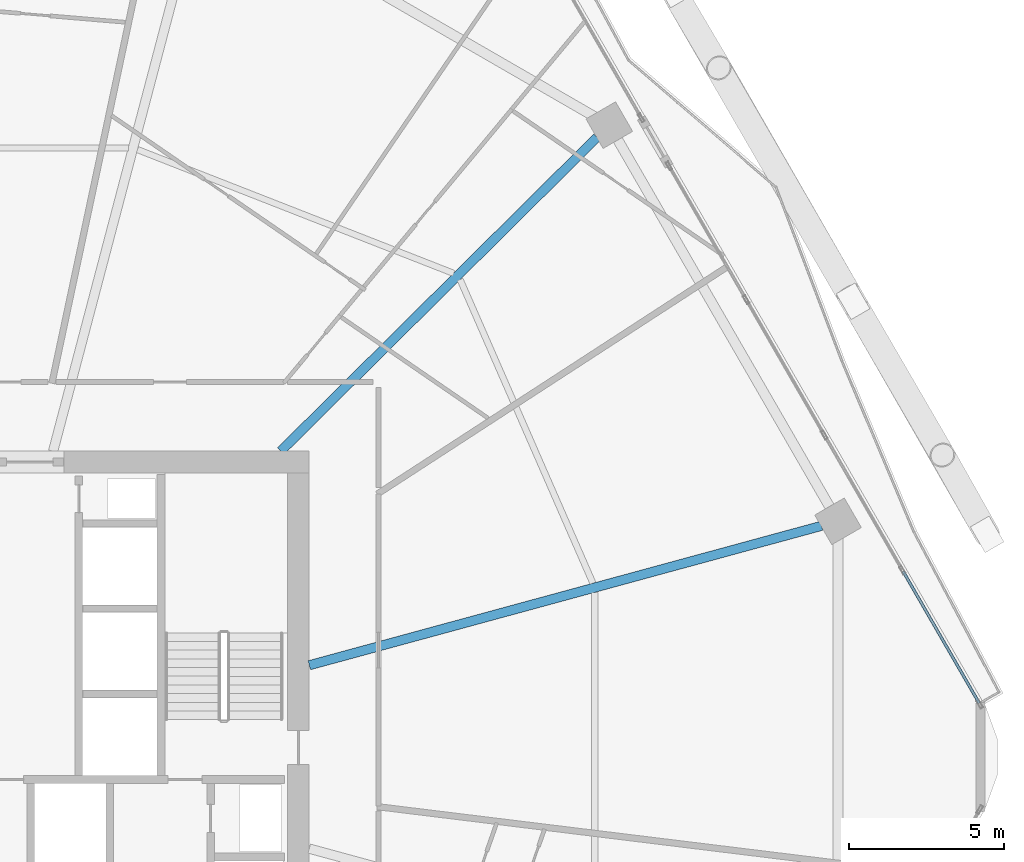
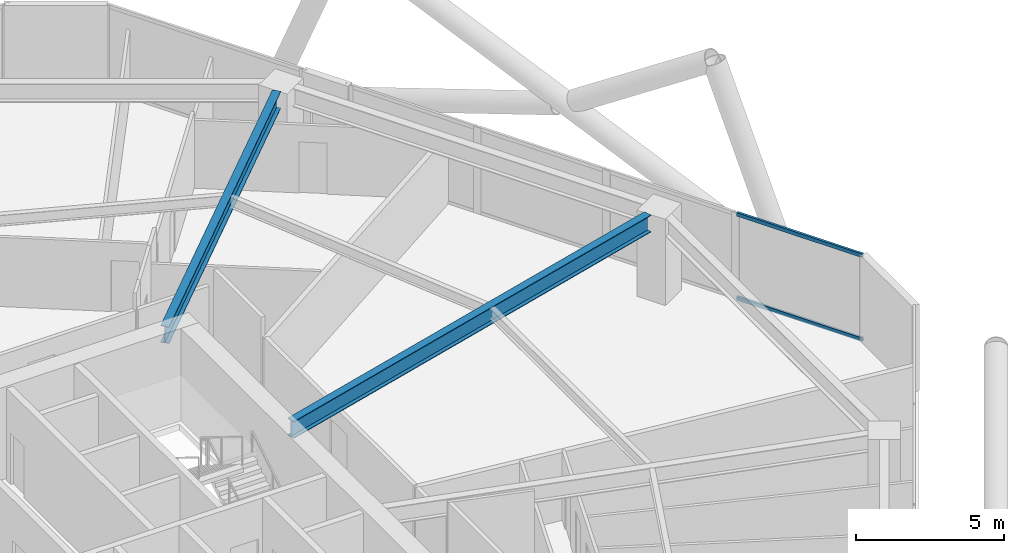
# One storey, part 19 of 35: 2 beams, 2 members, 1 element without a shape of its own.
"""IFC4 building model written with IfcOpenShell, lengths in metres."""

from ifc_helpers import new_model, si_unit, direction, frame, origin, origin_2d, place, context, subcontext, project, spatial, hollow_rectangle, i_section, extrude, material, material_profile, profile_set, type_object, element, aggregate, save


model = new_model("IFC4")

# Units and contexts
model_context = context("Model", 3, precision=1e-05, world=origin(), true_north=direction((0.0, 1.0)))
body_context = subcontext(model_context, "Body", "Model", "MODEL_VIEW")
ifc_project = project(units=[si_unit("LENGTHUNIT", "METRE"), si_unit("AREAUNIT", "SQUARE_METRE"), si_unit("VOLUMEUNIT", "CUBIC_METRE"), si_unit("PLANEANGLEUNIT", "RADIAN"), si_unit("MASSUNIT", "GRAM", prefix="KILO")], contexts=[model_context])

# Site, building, storey
site_placement = place(None, origin())
site = spatial("IfcSite", under=ifc_project, at=site_placement, CompositionType="ELEMENT")
building_placement = place(site_placement, origin())
building = spatial("IfcBuilding", under=site, at=building_placement, Name="Zuhravey Tower", CompositionType="ELEMENT")
storey_placement = place(building_placement, frame((0.0, 0.0, 122.800048828125)))
storey = spatial("IfcBuildingStorey", under=building, at=storey_placement, Name="L30", CompositionType="ELEMENT", Elevation=122.800048828125)

# Curtain wall, members
ifc_material_1 = material(Name="Thermally broken anodised aluminium", Category="aluminium")
curtain_wall_type = type_object("IfcCurtainWallType", Name="Zone 1-2 Residential Curtain Wall CW3", PredefinedType="NOTDEFINED", material=ifc_material_1)
curtain_wall_placement = place(storey_placement, origin())
curtain_wall = element("IfcCurtainWall", 1, at=curtain_wall_placement, inside=storey, type_object=curtain_wall_type, Name="L30 CW3 CW-L30-F1-2", PredefinedType="NOTDEFINED")
ifc_material_2 = material(Name="Anodised aluminium", Category="aluminium")
ifc_material_profile_1 = material_profile(ifc_material_2, hollow_rectangle(XDim=0.090087890625, YDim=0.14990234375, WallThickness=0.0048828125, at=origin_2d()), Name="ALU-RHS-90x150x5")
ifc_profile_set_1 = profile_set([ifc_material_profile_1], Name="Anodised aluminium")
member_type = type_object("IfcMemberType", Name="Curtain-Wall Transom 90x150", PredefinedType="USERDEFINED", material=ifc_profile_set_1)
member_1_placement = place(storey_placement, frame((65.98681640625, 37.978271484375, 0.044921875), z_axis=(0.500013247177, -0.866017755388, 0.0), x_axis=(0.866017755388, 0.500013247177, 0.0)))
member_1 = element("IfcMember", 2, at=member_1_placement, type_object=member_type, Name="CW3 transom 4.1", ObjectType="TRANSOM", PredefinedType="USERDEFINED", context=body_context, shape_type="SweptSolid", body=[
    extrude(hollow_rectangle(XDim=0.090087890625, YDim=0.14990234375, WallThickness=0.0048828125, at=origin_2d()), origin(), (0.0, 0.0, 1.0), 4.893310546875),
])
member_2_placement = place(storey_placement, frame((65.98681640625, 37.978271484375, 3.5048828125), z_axis=(0.500013247177, -0.866017755388, 0.0), x_axis=(0.866017755388, 0.500013247177, 0.0)))
member_2 = element("IfcMember", 3, at=member_2_placement, type_object=member_type, Name="CW3 transom 4.2", ObjectType="TRANSOM", PredefinedType="USERDEFINED", context=body_context, shape_type="SweptSolid", body=[
    extrude(hollow_rectangle(XDim=0.090087890625, YDim=0.14990234375, WallThickness=0.0048828125, at=origin_2d()), origin(), (0.0, 0.0, 1.0), 4.893310546875),
])
aggregate(curtain_wall, [member_1, member_2])

# Beams
ifc_material_3 = material(Name="Steel SM355", Category="steel")
ifc_material_profile_2 = material_profile(ifc_material_3, i_section(OverallWidth=0.300048828125, OverallDepth=0.699951171875, WebThickness=0.012939453125, FlangeThickness=0.02392578125, at=origin_2d()), Name="H-700x300x13x24")
ifc_profile_set_2 = profile_set([ifc_material_profile_2], Name="Steel SM355")
beam_type = type_object("IfcBeamType", Name="Radial Primary Girder H700x300", PredefinedType="BEAM", material=ifc_profile_set_2)
beam_1_placement = place(storey_placement, frame((46.85302734375, 34.954345703125, 3.199951171875), z_axis=(0.964893166225, 0.262642680791, 0.0), x_axis=(-0.262642680791, 0.964893166225, 0.0)))
element("IfcBeam", 4, at=beam_1_placement, inside=storey, type_object=beam_type, Name="L30 RG1 BM-L30-RAD-01", PredefinedType="BEAM", context=body_context, shape_type="SweptSolid", body=[
    extrude(i_section(OverallWidth=0.300048828125, OverallDepth=0.699951171875, WebThickness=0.012939453125, FlangeThickness=0.02392578125, at=origin_2d()), origin(), (0.0, 0.0, 1.0), 17.102783203125),
])
beam_2_placement = place(storey_placement, frame((45.931396484375, 41.85302734375, 3.199951171875), z_axis=(0.709906230344, 0.704296204816, 0.0), x_axis=(-0.704296204816, 0.709906230344, 0.0)))
element("IfcBeam", 5, at=beam_2_placement, inside=storey, type_object=beam_type, Name="L30 RG1 BM-L30-RAD-02", PredefinedType="BEAM", context=body_context, shape_type="SweptSolid", body=[
    extrude(i_section(OverallWidth=0.300048828125, OverallDepth=0.699951171875, WebThickness=0.012939453125, FlangeThickness=0.02392578125, at=origin_2d()), origin(), (0.0, 0.0, 1.0), 14.361083984375),
])

save(model, "model.ifc")
